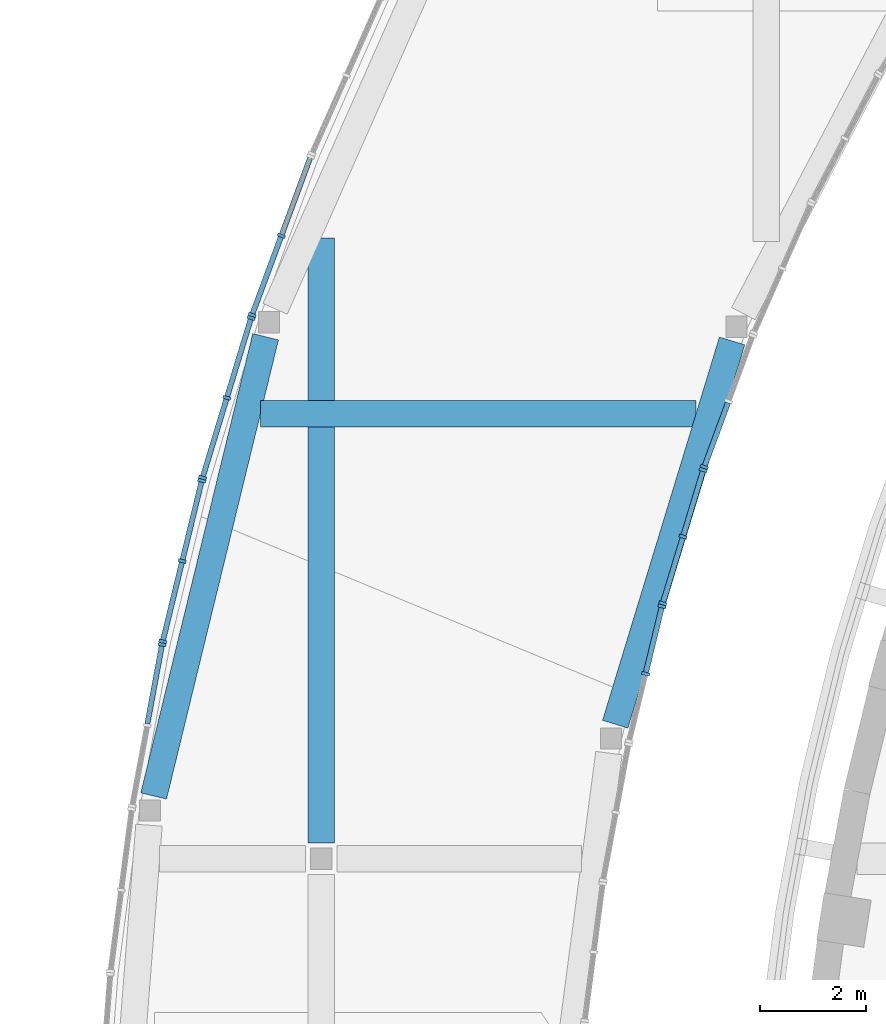
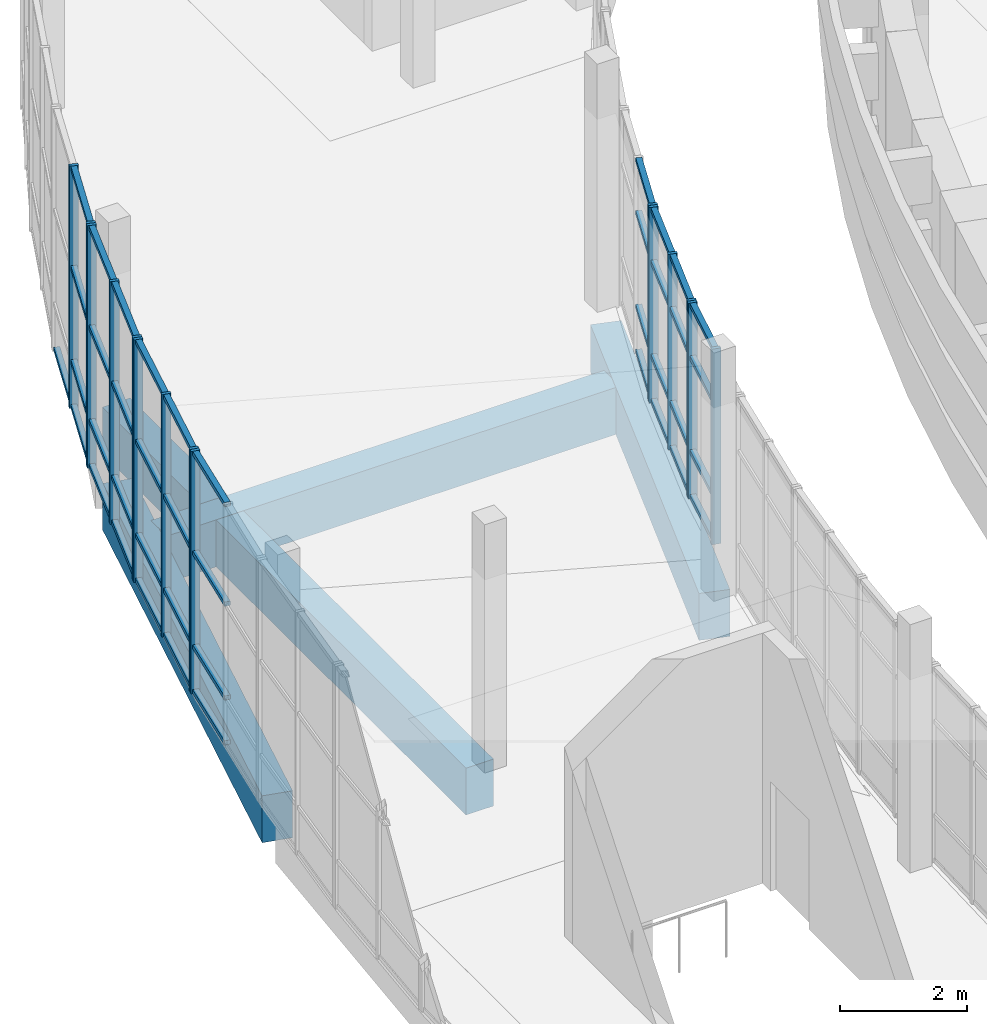
# One storey, part 16 of 103: 56 members, 4 beams, 7 elements without a shape of their own.
"""IFC4 building model written with IfcOpenShell, lengths in metres."""

from ifc_helpers import new_model, si_unit, direction, frame, origin, origin_2d, place, context, subcontext, project, spatial, rectangle, extrude, material, layer, layer_set, material_profile, profile_set, type_object, element, aggregate, save


model = new_model("IFC4")

# Units and contexts
model_context = context("Model", 3, precision=1e-05, world=origin(), true_north=direction((0.0, 1.0)))
body_context = subcontext(model_context, "Body", "Model", "MODEL_VIEW")
ifc_project = project(units=[si_unit("LENGTHUNIT", "METRE"), si_unit("AREAUNIT", "SQUARE_METRE"), si_unit("VOLUMEUNIT", "CUBIC_METRE"), si_unit("PLANEANGLEUNIT", "RADIAN"), si_unit("MASSUNIT", "GRAM", prefix="KILO")], contexts=[model_context])

# Site, building, storey
site_placement = place(None, origin())
site = spatial("IfcSite", under=ifc_project, at=site_placement, CompositionType="ELEMENT")
building_placement = place(site_placement, origin())
building = spatial("IfcBuilding", under=site, at=building_placement, Name="Larchfold Concert Hall", CompositionType="ELEMENT")
storey_placement = place(building_placement, frame((0.0, 0.0, 9.60009765625)))
storey = spatial("IfcBuildingStorey", under=building, at=storey_placement, Name="L02", CompositionType="ELEMENT", Elevation=9.60009765625)

# Curtain wall, members
ifc_material_1 = material(Name="Anodised graphite aluminium curtain wall", Category="aluminium")
ifc_layer = layer(ifc_material_1, 0.14990234375)
ifc_layer_set = layer_set([ifc_layer], Name="Anodised graphite aluminium curtain wall")
curtain_wall_type = type_object("IfcCurtainWallType", Name="Curtain wall WG", PredefinedType="NOTDEFINED", material=ifc_layer_set)
curtain_wall_1_placement = place(storey_placement, origin())
curtain_wall_1 = element("IfcCurtainWall", 1, at=curtain_wall_1_placement, inside=storey, type_object=curtain_wall_type, Name="Curtain wall CW0228", PredefinedType="NOTDEFINED")
ifc_material_2 = material(Name="Anodised graphite aluminium mullion", Category="aluminium")
ifc_material_profile_1 = material_profile(ifc_material_2, rectangle(XDim=0.14990234375, YDim=0.06005859375, at=origin_2d()))
ifc_profile_set_1 = profile_set([ifc_material_profile_1], Name="Anodised graphite aluminium mullion")
member_type_1 = type_object("IfcMemberType", Name="Aluminium mullion 60x150", PredefinedType="MULLION", material=ifc_profile_set_1)
member_1_placement = place(storey_placement, frame((15.123046875, 96.48876953125, 0.0), z_axis=(0.0, 0.0, 1.0), x_axis=(-0.97177101692, 0.235926027973, 0.0)))
member_1 = element("IfcMember", 2, at=member_1_placement, type_object=member_type_1, Name="CW0228 mullion 2", PredefinedType="MULLION", context=body_context, shape_type="SweptSolid", body=[
    extrude(rectangle(XDim=0.14990234375, YDim=0.06005859375, at=origin_2d()), origin(), (0.0, 0.0, 1.0), 3.75),
])
member_2_placement = place(storey_placement, frame((15.431884765625, 97.761474609375, 0.0), z_axis=(0.0, 0.0, 1.0), x_axis=(-0.97177101692, 0.235926027973, 0.0)))
member_2 = element("IfcMember", 3, at=member_2_placement, type_object=member_type_1, Name="CW0228 mullion 3", PredefinedType="MULLION", context=body_context, shape_type="SweptSolid", body=[
    extrude(rectangle(XDim=0.14990234375, YDim=0.06005859375, at=origin_2d()), origin(), (0.0, 0.0, 1.0), 3.75),
])

curtain_wall_2_placement = place(storey_placement, origin())
curtain_wall_2 = element("IfcCurtainWall", 4, at=curtain_wall_2_placement, inside=storey, type_object=curtain_wall_type, Name="Curtain wall CW0229", PredefinedType="NOTDEFINED")
member_3_placement = place(storey_placement, frame((15.44775390625, 97.8193359375, 0.0), z_axis=(0.0, 0.0, 1.0), x_axis=(-0.956856236078, 0.290561772224, 0.0)))
member_3 = element("IfcMember", 5, at=member_3_placement, type_object=member_type_1, Name="CW0229 mullion 1", PredefinedType="MULLION", context=body_context, shape_type="SweptSolid", body=[
    extrude(rectangle(XDim=0.14990234375, YDim=0.06005859375, at=origin_2d()), origin(), (0.0, 0.0, 1.0), 3.75),
])
member_4_placement = place(storey_placement, frame((15.82958984375, 99.076904296875, 0.0), z_axis=(0.0, 0.0, 1.0), x_axis=(-0.956856236078, 0.290561772224, 0.0)))
member_4 = element("IfcMember", 6, at=member_4_placement, type_object=member_type_1, Name="CW0229 mullion 2", PredefinedType="MULLION", context=body_context, shape_type="SweptSolid", body=[
    extrude(rectangle(XDim=0.14990234375, YDim=0.06005859375, at=origin_2d()), origin(), (0.0, 0.0, 1.0), 3.75),
])
member_5_placement = place(storey_placement, frame((16.21142578125, 100.33447265625, 0.0), z_axis=(0.0, 0.0, 1.0), x_axis=(-0.956856236078, 0.290561772224, 0.0)))
member_5 = element("IfcMember", 7, at=member_5_placement, type_object=member_type_1, Name="CW0229 mullion 3", PredefinedType="MULLION", context=body_context, shape_type="SweptSolid", body=[
    extrude(rectangle(XDim=0.14990234375, YDim=0.06005859375, at=origin_2d()), origin(), (0.0, 0.0, 1.0), 3.75),
])

# Curtain wall, member
curtain_wall_3_placement = place(storey_placement, origin())
curtain_wall_3 = element("IfcCurtainWall", 8, at=curtain_wall_3_placement, inside=storey, type_object=curtain_wall_type, Name="Curtain wall CW0230", PredefinedType="NOTDEFINED")
member_6_placement = place(storey_placement, frame((16.230712890625, 100.391357421875, 0.0), z_axis=(0.0, 0.0, 1.0), x_axis=(-0.938001528432, 0.346631119, 0.0)))
member_6 = element("IfcMember", 9, at=member_6_placement, type_object=member_type_1, Name="CW0230 mullion 1", PredefinedType="MULLION", context=body_context, shape_type="SweptSolid", body=[
    extrude(rectangle(XDim=0.14990234375, YDim=0.06005859375, at=origin_2d()), origin(), (0.0, 0.0, 1.0), 3.75),
])

# Curtain wall, members
curtain_wall_4_placement = place(storey_placement, origin())
curtain_wall_4 = element("IfcCurtainWall", 10, at=curtain_wall_4_placement, inside=storey, type_object=curtain_wall_type, Name="Curtain wall CW0267", PredefinedType="NOTDEFINED")
member_7_placement = place(storey_placement, frame((8.248291015625, 104.755126953125, 0.0), z_axis=(0.0, 0.0, 1.0), x_axis=(0.938015232319, -0.346594033327, 0.0)))
member_7 = element("IfcMember", 11, at=member_7_placement, type_object=member_type_1, Name="CW0267 mullion 2", PredefinedType="MULLION", context=body_context, shape_type="SweptSolid", body=[
    extrude(rectangle(XDim=0.14990234375, YDim=0.06005859375, at=origin_2d()), origin(), (0.0, 0.0, 1.0), 4.64990234375),
])
member_8_placement = place(storey_placement, frame((7.6962890625, 103.260986328125, 0.0), z_axis=(0.0, 0.0, 1.0), x_axis=(0.938015232319, -0.346594033327, 0.0)))
member_8 = element("IfcMember", 12, at=member_8_placement, type_object=member_type_1, Name="CW0267 mullion 3", PredefinedType="MULLION", context=body_context, shape_type="SweptSolid", body=[
    extrude(rectangle(XDim=0.14990234375, YDim=0.06005859375, at=origin_2d()), origin(), (0.0, 0.0, 1.0), 4.64990234375),
])

curtain_wall_5_placement = place(storey_placement, origin())
curtain_wall_5 = element("IfcCurtainWall", 13, at=curtain_wall_5_placement, inside=storey, type_object=curtain_wall_type, Name="Curtain wall CW0268", PredefinedType="NOTDEFINED")
member_9_placement = place(storey_placement, frame((7.677001953125, 103.2041015625, 0.0), z_axis=(0.0, 0.0, 1.0), x_axis=(0.956851499638, -0.290577369456, 0.0)))
member_9 = element("IfcMember", 14, at=member_9_placement, type_object=member_type_1, Name="CW0268 mullion 1", PredefinedType="MULLION", context=body_context, shape_type="SweptSolid", body=[
    extrude(rectangle(XDim=0.14990234375, YDim=0.06005859375, at=origin_2d()), origin(), (0.0, 0.0, 1.0), 4.64990234375),
])
member_10_placement = place(storey_placement, frame((7.219482421875, 101.697265625, 0.0), z_axis=(0.0, 0.0, 1.0), x_axis=(0.956851499638, -0.290577369456, 0.0)))
member_10 = element("IfcMember", 15, at=member_10_placement, type_object=member_type_1, Name="CW0268 mullion 2", PredefinedType="MULLION", context=body_context, shape_type="SweptSolid", body=[
    extrude(rectangle(XDim=0.14990234375, YDim=0.06005859375, at=origin_2d()), origin(), (0.0, 0.0, 1.0), 4.64990234375),
])
member_11_placement = place(storey_placement, frame((6.761962890625, 100.190673828125, 0.0), z_axis=(0.0, 0.0, 1.0), x_axis=(0.956851499638, -0.290577369456, 0.0)))
member_11 = element("IfcMember", 16, at=member_11_placement, type_object=member_type_1, Name="CW0268 mullion 3", PredefinedType="MULLION", context=body_context, shape_type="SweptSolid", body=[
    extrude(rectangle(XDim=0.14990234375, YDim=0.06005859375, at=origin_2d()), origin(), (0.0, 0.0, 1.0), 4.64990234375),
])

curtain_wall_6_placement = place(storey_placement, origin())
curtain_wall_6 = element("IfcCurtainWall", 17, at=curtain_wall_6_placement, inside=storey, type_object=curtain_wall_type, Name="Curtain wall CW0269", PredefinedType="NOTDEFINED")
member_12_placement = place(storey_placement, frame((6.74609375, 100.1328125, 0.0), z_axis=(0.0, 0.0, 1.0), x_axis=(0.97176803509, -0.235938309687, 0.0)))
member_12 = element("IfcMember", 18, at=member_12_placement, type_object=member_type_1, Name="CW0269 mullion 1", PredefinedType="MULLION", context=body_context, shape_type="SweptSolid", body=[
    extrude(rectangle(XDim=0.14990234375, YDim=0.06005859375, at=origin_2d()), origin(), (0.0, 0.0, 1.0), 4.64990234375),
])
member_13_placement = place(storey_placement, frame((6.3779296875, 98.616455078125, 0.0), z_axis=(0.0, 0.0, 1.0), x_axis=(0.97176803509, -0.235938309687, 0.0)))
member_13 = element("IfcMember", 19, at=member_13_placement, type_object=member_type_1, Name="CW0269 mullion 2", PredefinedType="MULLION", context=body_context, shape_type="SweptSolid", body=[
    extrude(rectangle(XDim=0.14990234375, YDim=0.06005859375, at=origin_2d()), origin(), (0.0, 0.0, 1.0), 4.64990234375),
])
member_14_placement = place(storey_placement, frame((6.009765625, 97.099853515625, 0.0), z_axis=(0.0, 0.0, 1.0), x_axis=(0.97176803509, -0.235938309687, 0.0)))
member_14 = element("IfcMember", 20, at=member_14_placement, type_object=member_type_1, Name="CW0269 mullion 3", PredefinedType="MULLION", context=body_context, shape_type="SweptSolid", body=[
    extrude(rectangle(XDim=0.14990234375, YDim=0.06005859375, at=origin_2d()), origin(), (0.0, 0.0, 1.0), 4.64990234375),
])

# Curtain wall, member
curtain_wall_7_placement = place(storey_placement, origin())
curtain_wall_7 = element("IfcCurtainWall", 21, at=curtain_wall_7_placement, inside=storey, type_object=curtain_wall_type, Name="Curtain wall CW0270", PredefinedType="NOTDEFINED")
member_15_placement = place(storey_placement, frame((5.997314453125, 97.041259765625, 0.0), z_axis=(0.0, 0.0, 1.0), x_axis=(0.983234300554, -0.182346675908, 0.0)))
member_15 = element("IfcMember", 22, at=member_15_placement, type_object=member_type_1, Name="CW0270 mullion 1", PredefinedType="MULLION", context=body_context, shape_type="SweptSolid", body=[
    extrude(rectangle(XDim=0.14990234375, YDim=0.06005859375, at=origin_2d()), origin(), (0.0, 0.0, 1.0), 4.64990234375),
])

# Member
ifc_material_3 = material(Name="Anodised graphite aluminium transom", Category="aluminium")
ifc_material_profile_2 = material_profile(ifc_material_3, rectangle(XDim=0.10009765625, YDim=0.080078125, at=origin_2d()))
ifc_profile_set_2 = profile_set([ifc_material_profile_2], Name="Anodised graphite aluminium transom")
member_type_2 = type_object("IfcMemberType", Name="Aluminium transom 80x100", PredefinedType="USERDEFINED", material=ifc_profile_set_2)
member_16_placement = place(storey_placement, frame((15.1298828125, 96.517822265625, 0.0400390625), z_axis=(0.236002599112, 0.971752423826, 0.0), x_axis=(-0.971752423826, 0.236002599112, 0.0)))
member_16 = element("IfcMember", 23, at=member_16_placement, type_object=member_type_2, Name="CW0228 transom 2.1", ObjectType="TRANSOM", PredefinedType="USERDEFINED", context=body_context, shape_type="SweptSolid", body=[
    extrude(rectangle(XDim=0.10009765625, YDim=0.080078125, at=origin_2d()), origin(), (0.0, 0.0, 1.0), 1.249755859375),
])

member_17_placement = place(storey_placement, frame((15.1298828125, 96.517822265625, 0.89990234375), z_axis=(0.236002599112, 0.971752423826, 0.0), x_axis=(-0.971752423826, 0.236002599112, 0.0)))
member_17 = element("IfcMember", 24, at=member_17_placement, type_object=member_type_2, Name="CW0228 transom 2.2", ObjectType="TRANSOM", PredefinedType="USERDEFINED", context=body_context, shape_type="SweptSolid", body=[
    extrude(rectangle(XDim=0.10009765625, YDim=0.080078125, at=origin_2d()), origin(), (0.0, 0.0, 1.0), 1.249755859375),
])

member_18_placement = place(storey_placement, frame((15.1298828125, 96.517822265625, 2.699951171875), z_axis=(0.236002599112, 0.971752423826, 0.0), x_axis=(-0.971752423826, 0.236002599112, 0.0)))
member_18 = element("IfcMember", 25, at=member_18_placement, type_object=member_type_2, Name="CW0228 transom 2.3", ObjectType="TRANSOM", PredefinedType="USERDEFINED", context=body_context, shape_type="SweptSolid", body=[
    extrude(rectangle(XDim=0.10009765625, YDim=0.080078125, at=origin_2d()), origin(), (0.0, 0.0, 1.0), 1.249755859375),
])

member_19_placement = place(storey_placement, frame((15.1298828125, 96.517822265625, 3.7099609375), z_axis=(0.236002599112, 0.971752423826, 0.0), x_axis=(-0.971752423826, 0.236002599112, 0.0)))
member_19 = element("IfcMember", 26, at=member_19_placement, type_object=member_type_2, Name="CW0228 transom 2.4", ObjectType="TRANSOM", PredefinedType="USERDEFINED", context=body_context, shape_type="SweptSolid", body=[
    extrude(rectangle(XDim=0.10009765625, YDim=0.080078125, at=origin_2d()), origin(), (0.0, 0.0, 1.0), 1.249755859375),
])

aggregate(curtain_wall_1, [member_1, member_2, member_16, member_17, member_18, member_19])

member_20_placement = place(storey_placement, frame((15.456298828125, 97.847900390625, 0.0400390625), z_axis=(0.29059616867, 0.956845790477, 0.0), x_axis=(-0.956845790477, 0.29059616867, 0.0)))
member_20 = element("IfcMember", 27, at=member_20_placement, type_object=member_type_2, Name="CW0229 transom 1.1", ObjectType="TRANSOM", PredefinedType="USERDEFINED", context=body_context, shape_type="SweptSolid", body=[
    extrude(rectangle(XDim=0.10009765625, YDim=0.080078125, at=origin_2d()), origin(), (0.0, 0.0, 1.0), 1.25439453125),
])

member_21_placement = place(storey_placement, frame((15.456298828125, 97.847900390625, 0.89990234375), z_axis=(0.29059616867, 0.956845790477, 0.0), x_axis=(-0.956845790477, 0.29059616867, 0.0)))
member_21 = element("IfcMember", 28, at=member_21_placement, type_object=member_type_2, Name="CW0229 transom 1.2", ObjectType="TRANSOM", PredefinedType="USERDEFINED", context=body_context, shape_type="SweptSolid", body=[
    extrude(rectangle(XDim=0.10009765625, YDim=0.080078125, at=origin_2d()), origin(), (0.0, 0.0, 1.0), 1.25439453125),
])

member_22_placement = place(storey_placement, frame((15.456298828125, 97.847900390625, 2.699951171875), z_axis=(0.29059616867, 0.956845790477, 0.0), x_axis=(-0.956845790477, 0.29059616867, 0.0)))
member_22 = element("IfcMember", 29, at=member_22_placement, type_object=member_type_2, Name="CW0229 transom 1.3", ObjectType="TRANSOM", PredefinedType="USERDEFINED", context=body_context, shape_type="SweptSolid", body=[
    extrude(rectangle(XDim=0.10009765625, YDim=0.080078125, at=origin_2d()), origin(), (0.0, 0.0, 1.0), 1.25439453125),
])

member_23_placement = place(storey_placement, frame((15.456298828125, 97.847900390625, 3.7099609375), z_axis=(0.29059616867, 0.956845790477, 0.0), x_axis=(-0.956845790477, 0.29059616867, 0.0)))
member_23 = element("IfcMember", 30, at=member_23_placement, type_object=member_type_2, Name="CW0229 transom 1.4", ObjectType="TRANSOM", PredefinedType="USERDEFINED", context=body_context, shape_type="SweptSolid", body=[
    extrude(rectangle(XDim=0.10009765625, YDim=0.080078125, at=origin_2d()), origin(), (0.0, 0.0, 1.0), 1.25439453125),
])

member_24_placement = place(storey_placement, frame((15.83837890625, 99.105712890625, 0.0400390625), z_axis=(0.29059616867, 0.956845790477, 0.0), x_axis=(-0.956845790477, 0.29059616867, 0.0)))
member_24 = element("IfcMember", 31, at=member_24_placement, type_object=member_type_2, Name="CW0229 transom 2.1", ObjectType="TRANSOM", PredefinedType="USERDEFINED", context=body_context, shape_type="SweptSolid", body=[
    extrude(rectangle(XDim=0.10009765625, YDim=0.080078125, at=origin_2d()), origin(), (0.0, 0.0, 1.0), 1.25439453125),
])

member_25_placement = place(storey_placement, frame((15.83837890625, 99.105712890625, 0.89990234375), z_axis=(0.29059616867, 0.956845790477, 0.0), x_axis=(-0.956845790477, 0.29059616867, 0.0)))
member_25 = element("IfcMember", 32, at=member_25_placement, type_object=member_type_2, Name="CW0229 transom 2.2", ObjectType="TRANSOM", PredefinedType="USERDEFINED", context=body_context, shape_type="SweptSolid", body=[
    extrude(rectangle(XDim=0.10009765625, YDim=0.080078125, at=origin_2d()), origin(), (0.0, 0.0, 1.0), 1.25439453125),
])

member_26_placement = place(storey_placement, frame((15.83837890625, 99.105712890625, 2.699951171875), z_axis=(0.29059616867, 0.956845790477, 0.0), x_axis=(-0.956845790477, 0.29059616867, 0.0)))
member_26 = element("IfcMember", 33, at=member_26_placement, type_object=member_type_2, Name="CW0229 transom 2.3", ObjectType="TRANSOM", PredefinedType="USERDEFINED", context=body_context, shape_type="SweptSolid", body=[
    extrude(rectangle(XDim=0.10009765625, YDim=0.080078125, at=origin_2d()), origin(), (0.0, 0.0, 1.0), 1.25439453125),
])

member_27_placement = place(storey_placement, frame((15.83837890625, 99.105712890625, 3.7099609375), z_axis=(0.29059616867, 0.956845790477, 0.0), x_axis=(-0.956845790477, 0.29059616867, 0.0)))
member_27 = element("IfcMember", 34, at=member_27_placement, type_object=member_type_2, Name="CW0229 transom 2.4", ObjectType="TRANSOM", PredefinedType="USERDEFINED", context=body_context, shape_type="SweptSolid", body=[
    extrude(rectangle(XDim=0.10009765625, YDim=0.080078125, at=origin_2d()), origin(), (0.0, 0.0, 1.0), 1.25439453125),
])

aggregate(curtain_wall_2, [member_3, member_4, member_5, member_20, member_21, member_22, member_23, member_24, member_25, member_26, member_27])

member_28_placement = place(storey_placement, frame((16.240966796875, 100.419677734375, 0.0400390625), z_axis=(0.346639022733, 0.937998607631, 0.0), x_axis=(-0.937998607631, 0.346639022733, 0.0)))
member_28 = element("IfcMember", 35, at=member_28_placement, type_object=member_type_2, Name="CW0230 transom 1.1", ObjectType="TRANSOM", PredefinedType="USERDEFINED", context=body_context, shape_type="SweptSolid", body=[
    extrude(rectangle(XDim=0.10009765625, YDim=0.080078125, at=origin_2d()), origin(), (0.0, 0.0, 1.0), 1.260009765625),
])

member_29_placement = place(storey_placement, frame((16.240966796875, 100.419677734375, 0.89990234375), z_axis=(0.346639022733, 0.937998607631, 0.0), x_axis=(-0.937998607631, 0.346639022733, 0.0)))
member_29 = element("IfcMember", 36, at=member_29_placement, type_object=member_type_2, Name="CW0230 transom 1.2", ObjectType="TRANSOM", PredefinedType="USERDEFINED", context=body_context, shape_type="SweptSolid", body=[
    extrude(rectangle(XDim=0.10009765625, YDim=0.080078125, at=origin_2d()), origin(), (0.0, 0.0, 1.0), 1.260009765625),
])

member_30_placement = place(storey_placement, frame((16.240966796875, 100.419677734375, 2.699951171875), z_axis=(0.346639022733, 0.937998607631, 0.0), x_axis=(-0.937998607631, 0.346639022733, 0.0)))
member_30 = element("IfcMember", 37, at=member_30_placement, type_object=member_type_2, Name="CW0230 transom 1.3", ObjectType="TRANSOM", PredefinedType="USERDEFINED", context=body_context, shape_type="SweptSolid", body=[
    extrude(rectangle(XDim=0.10009765625, YDim=0.080078125, at=origin_2d()), origin(), (0.0, 0.0, 1.0), 1.260009765625),
])

member_31_placement = place(storey_placement, frame((16.240966796875, 100.419677734375, 3.7099609375), z_axis=(0.346639022733, 0.937998607631, 0.0), x_axis=(-0.937998607631, 0.346639022733, 0.0)))
member_31 = element("IfcMember", 38, at=member_31_placement, type_object=member_type_2, Name="CW0230 transom 1.4", ObjectType="TRANSOM", PredefinedType="USERDEFINED", context=body_context, shape_type="SweptSolid", body=[
    extrude(rectangle(XDim=0.10009765625, YDim=0.080078125, at=origin_2d()), origin(), (0.0, 0.0, 1.0), 1.260009765625),
])

aggregate(curtain_wall_3, [member_6, member_28, member_29, member_30, member_31])

member_32_placement = place(storey_placement, frame((8.7900390625, 106.22119140625, 0.0400390625), z_axis=(-0.34659834875, -0.938013637771, 0.0), x_axis=(0.938013637771, -0.34659834875, 0.0)))
member_32 = element("IfcMember", 39, at=member_32_placement, type_object=member_type_2, Name="CW0267 transom 1.1", ObjectType="TRANSOM", PredefinedType="USERDEFINED", context=body_context, shape_type="SweptSolid", body=[
    extrude(rectangle(XDim=0.10009765625, YDim=0.080078125, at=origin_2d()), origin(), (0.0, 0.0, 1.0), 1.53271484375),
])

member_33_placement = place(storey_placement, frame((8.23779296875, 104.72705078125, 0.0400390625), z_axis=(-0.34659834875, -0.938013637771, 0.0), x_axis=(0.938013637771, -0.34659834875, 0.0)))
member_33 = element("IfcMember", 40, at=member_33_placement, type_object=member_type_2, Name="CW0267 transom 2.1", ObjectType="TRANSOM", PredefinedType="USERDEFINED", context=body_context, shape_type="SweptSolid", body=[
    extrude(rectangle(XDim=0.10009765625, YDim=0.080078125, at=origin_2d()), origin(), (0.0, 0.0, 1.0), 1.53271484375),
])

member_34_placement = place(storey_placement, frame((8.23779296875, 104.72705078125, 0.89990234375), z_axis=(-0.34659834875, -0.938013637771, 0.0), x_axis=(0.938013637771, -0.34659834875, 0.0)))
member_34 = element("IfcMember", 41, at=member_34_placement, type_object=member_type_2, Name="CW0267 transom 2.2", ObjectType="TRANSOM", PredefinedType="USERDEFINED", context=body_context, shape_type="SweptSolid", body=[
    extrude(rectangle(XDim=0.10009765625, YDim=0.080078125, at=origin_2d()), origin(), (0.0, 0.0, 1.0), 1.53271484375),
])

member_35_placement = place(storey_placement, frame((8.23779296875, 104.72705078125, 2.699951171875), z_axis=(-0.34659834875, -0.938013637771, 0.0), x_axis=(0.938013637771, -0.34659834875, 0.0)))
member_35 = element("IfcMember", 42, at=member_35_placement, type_object=member_type_2, Name="CW0267 transom 2.3", ObjectType="TRANSOM", PredefinedType="USERDEFINED", context=body_context, shape_type="SweptSolid", body=[
    extrude(rectangle(XDim=0.10009765625, YDim=0.080078125, at=origin_2d()), origin(), (0.0, 0.0, 1.0), 1.53271484375),
])

member_36_placement = place(storey_placement, frame((8.23779296875, 104.72705078125, 4.60986328125), z_axis=(-0.34659834875, -0.938013637771, 0.0), x_axis=(0.938013637771, -0.34659834875, 0.0)))
member_36 = element("IfcMember", 43, at=member_36_placement, type_object=member_type_2, Name="CW0267 transom 2.4", ObjectType="TRANSOM", PredefinedType="USERDEFINED", context=body_context, shape_type="SweptSolid", body=[
    extrude(rectangle(XDim=0.10009765625, YDim=0.080078125, at=origin_2d()), origin(), (0.0, 0.0, 1.0), 1.53271484375),
])

aggregate(curtain_wall_4, [member_7, member_8, member_32, member_33, member_34, member_35, member_36])

member_37_placement = place(storey_placement, frame((7.66845703125, 103.175537109375, 0.0400390625), z_axis=(-0.290584372476, -0.956849372928, 0.0), x_axis=(0.956849372928, -0.290584372476, 0.0)))
member_37 = element("IfcMember", 44, at=member_37_placement, type_object=member_type_2, Name="CW0268 transom 1.1", ObjectType="TRANSOM", PredefinedType="USERDEFINED", context=body_context, shape_type="SweptSolid", body=[
    extrude(rectangle(XDim=0.10009765625, YDim=0.080078125, at=origin_2d()), origin(), (0.0, 0.0, 1.0), 1.514892578125),
])

member_38_placement = place(storey_placement, frame((7.66845703125, 103.175537109375, 0.89990234375), z_axis=(-0.290584372476, -0.956849372928, 0.0), x_axis=(0.956849372928, -0.290584372476, 0.0)))
member_38 = element("IfcMember", 45, at=member_38_placement, type_object=member_type_2, Name="CW0268 transom 1.2", ObjectType="TRANSOM", PredefinedType="USERDEFINED", context=body_context, shape_type="SweptSolid", body=[
    extrude(rectangle(XDim=0.10009765625, YDim=0.080078125, at=origin_2d()), origin(), (0.0, 0.0, 1.0), 1.514892578125),
])

member_39_placement = place(storey_placement, frame((7.66845703125, 103.175537109375, 2.699951171875), z_axis=(-0.290584372476, -0.956849372928, 0.0), x_axis=(0.956849372928, -0.290584372476, 0.0)))
member_39 = element("IfcMember", 46, at=member_39_placement, type_object=member_type_2, Name="CW0268 transom 1.3", ObjectType="TRANSOM", PredefinedType="USERDEFINED", context=body_context, shape_type="SweptSolid", body=[
    extrude(rectangle(XDim=0.10009765625, YDim=0.080078125, at=origin_2d()), origin(), (0.0, 0.0, 1.0), 1.514892578125),
])

member_40_placement = place(storey_placement, frame((7.66845703125, 103.175537109375, 4.60986328125), z_axis=(-0.290584372476, -0.956849372928, 0.0), x_axis=(0.956849372928, -0.290584372476, 0.0)))
member_40 = element("IfcMember", 47, at=member_40_placement, type_object=member_type_2, Name="CW0268 transom 1.4", ObjectType="TRANSOM", PredefinedType="USERDEFINED", context=body_context, shape_type="SweptSolid", body=[
    extrude(rectangle(XDim=0.10009765625, YDim=0.080078125, at=origin_2d()), origin(), (0.0, 0.0, 1.0), 1.514892578125),
])

member_41_placement = place(storey_placement, frame((7.210693359375, 101.668701171875, 0.0400390625), z_axis=(-0.290584372476, -0.956849372928, 0.0), x_axis=(0.956849372928, -0.290584372476, 0.0)))
member_41 = element("IfcMember", 48, at=member_41_placement, type_object=member_type_2, Name="CW0268 transom 2.1", ObjectType="TRANSOM", PredefinedType="USERDEFINED", context=body_context, shape_type="SweptSolid", body=[
    extrude(rectangle(XDim=0.10009765625, YDim=0.080078125, at=origin_2d()), origin(), (0.0, 0.0, 1.0), 1.514892578125),
])

member_42_placement = place(storey_placement, frame((7.210693359375, 101.668701171875, 0.89990234375), z_axis=(-0.290584372476, -0.956849372928, 0.0), x_axis=(0.956849372928, -0.290584372476, 0.0)))
member_42 = element("IfcMember", 49, at=member_42_placement, type_object=member_type_2, Name="CW0268 transom 2.2", ObjectType="TRANSOM", PredefinedType="USERDEFINED", context=body_context, shape_type="SweptSolid", body=[
    extrude(rectangle(XDim=0.10009765625, YDim=0.080078125, at=origin_2d()), origin(), (0.0, 0.0, 1.0), 1.514892578125),
])

member_43_placement = place(storey_placement, frame((7.210693359375, 101.668701171875, 2.699951171875), z_axis=(-0.290584372476, -0.956849372928, 0.0), x_axis=(0.956849372928, -0.290584372476, 0.0)))
member_43 = element("IfcMember", 50, at=member_43_placement, type_object=member_type_2, Name="CW0268 transom 2.3", ObjectType="TRANSOM", PredefinedType="USERDEFINED", context=body_context, shape_type="SweptSolid", body=[
    extrude(rectangle(XDim=0.10009765625, YDim=0.080078125, at=origin_2d()), origin(), (0.0, 0.0, 1.0), 1.514892578125),
])

member_44_placement = place(storey_placement, frame((7.210693359375, 101.668701171875, 4.60986328125), z_axis=(-0.290584372476, -0.956849372928, 0.0), x_axis=(0.956849372928, -0.290584372476, 0.0)))
member_44 = element("IfcMember", 51, at=member_44_placement, type_object=member_type_2, Name="CW0268 transom 2.4", ObjectType="TRANSOM", PredefinedType="USERDEFINED", context=body_context, shape_type="SweptSolid", body=[
    extrude(rectangle(XDim=0.10009765625, YDim=0.080078125, at=origin_2d()), origin(), (0.0, 0.0, 1.0), 1.514892578125),
])

aggregate(curtain_wall_5, [member_9, member_10, member_11, member_37, member_38, member_39, member_40, member_41, member_42, member_43, member_44])

member_45_placement = place(storey_placement, frame((6.739013671875, 100.103515625, 0.0400390625), z_axis=(-0.235944645089, -0.971766496878, 0.0), x_axis=(0.971766496878, -0.235944645089, 0.0)))
member_45 = element("IfcMember", 52, at=member_45_placement, type_object=member_type_2, Name="CW0269 transom 1.1", ObjectType="TRANSOM", PredefinedType="USERDEFINED", context=body_context, shape_type="SweptSolid", body=[
    extrude(rectangle(XDim=0.10009765625, YDim=0.080078125, at=origin_2d()), origin(), (0.0, 0.0, 1.0), 1.50048828125),
])

member_46_placement = place(storey_placement, frame((6.739013671875, 100.103515625, 0.89990234375), z_axis=(-0.235944645089, -0.971766496878, 0.0), x_axis=(0.971766496878, -0.235944645089, 0.0)))
member_46 = element("IfcMember", 53, at=member_46_placement, type_object=member_type_2, Name="CW0269 transom 1.2", ObjectType="TRANSOM", PredefinedType="USERDEFINED", context=body_context, shape_type="SweptSolid", body=[
    extrude(rectangle(XDim=0.10009765625, YDim=0.080078125, at=origin_2d()), origin(), (0.0, 0.0, 1.0), 1.50048828125),
])

member_47_placement = place(storey_placement, frame((6.739013671875, 100.103515625, 2.699951171875), z_axis=(-0.235944645089, -0.971766496878, 0.0), x_axis=(0.971766496878, -0.235944645089, 0.0)))
member_47 = element("IfcMember", 54, at=member_47_placement, type_object=member_type_2, Name="CW0269 transom 1.3", ObjectType="TRANSOM", PredefinedType="USERDEFINED", context=body_context, shape_type="SweptSolid", body=[
    extrude(rectangle(XDim=0.10009765625, YDim=0.080078125, at=origin_2d()), origin(), (0.0, 0.0, 1.0), 1.50048828125),
])

member_48_placement = place(storey_placement, frame((6.739013671875, 100.103515625, 4.60986328125), z_axis=(-0.235944645089, -0.971766496878, 0.0), x_axis=(0.971766496878, -0.235944645089, 0.0)))
member_48 = element("IfcMember", 55, at=member_48_placement, type_object=member_type_2, Name="CW0269 transom 1.4", ObjectType="TRANSOM", PredefinedType="USERDEFINED", context=body_context, shape_type="SweptSolid", body=[
    extrude(rectangle(XDim=0.10009765625, YDim=0.080078125, at=origin_2d()), origin(), (0.0, 0.0, 1.0), 1.50048828125),
])

member_49_placement = place(storey_placement, frame((6.370849609375, 98.587158203125, 0.0400390625), z_axis=(-0.235944645089, -0.971766496878, 0.0), x_axis=(0.971766496878, -0.235944645089, 0.0)))
member_49 = element("IfcMember", 56, at=member_49_placement, type_object=member_type_2, Name="CW0269 transom 2.1", ObjectType="TRANSOM", PredefinedType="USERDEFINED", context=body_context, shape_type="SweptSolid", body=[
    extrude(rectangle(XDim=0.10009765625, YDim=0.080078125, at=origin_2d()), origin(), (0.0, 0.0, 1.0), 1.50048828125),
])

member_50_placement = place(storey_placement, frame((6.370849609375, 98.587158203125, 0.89990234375), z_axis=(-0.235944645089, -0.971766496878, 0.0), x_axis=(0.971766496878, -0.235944645089, 0.0)))
member_50 = element("IfcMember", 57, at=member_50_placement, type_object=member_type_2, Name="CW0269 transom 2.2", ObjectType="TRANSOM", PredefinedType="USERDEFINED", context=body_context, shape_type="SweptSolid", body=[
    extrude(rectangle(XDim=0.10009765625, YDim=0.080078125, at=origin_2d()), origin(), (0.0, 0.0, 1.0), 1.50048828125),
])

member_51_placement = place(storey_placement, frame((6.370849609375, 98.587158203125, 2.699951171875), z_axis=(-0.235944645089, -0.971766496878, 0.0), x_axis=(0.971766496878, -0.235944645089, 0.0)))
member_51 = element("IfcMember", 58, at=member_51_placement, type_object=member_type_2, Name="CW0269 transom 2.3", ObjectType="TRANSOM", PredefinedType="USERDEFINED", context=body_context, shape_type="SweptSolid", body=[
    extrude(rectangle(XDim=0.10009765625, YDim=0.080078125, at=origin_2d()), origin(), (0.0, 0.0, 1.0), 1.50048828125),
])

member_52_placement = place(storey_placement, frame((6.370849609375, 98.587158203125, 4.60986328125), z_axis=(-0.235944645089, -0.971766496878, 0.0), x_axis=(0.971766496878, -0.235944645089, 0.0)))
member_52 = element("IfcMember", 59, at=member_52_placement, type_object=member_type_2, Name="CW0269 transom 2.4", ObjectType="TRANSOM", PredefinedType="USERDEFINED", context=body_context, shape_type="SweptSolid", body=[
    extrude(rectangle(XDim=0.10009765625, YDim=0.080078125, at=origin_2d()), origin(), (0.0, 0.0, 1.0), 1.50048828125),
])

aggregate(curtain_wall_6, [member_12, member_13, member_14, member_45, member_46, member_47, member_48, member_49, member_50, member_51, member_52])

member_53_placement = place(storey_placement, frame((5.99169921875, 97.01171875, 0.0400390625), z_axis=(-0.182318227219, -0.983239576107, 0.0), x_axis=(0.983239576107, -0.182318227219, 0.0)))
member_53 = element("IfcMember", 60, at=member_53_placement, type_object=member_type_2, Name="CW0270 transom 1.1", ObjectType="TRANSOM", PredefinedType="USERDEFINED", context=body_context, shape_type="SweptSolid", body=[
    extrude(rectangle(XDim=0.10009765625, YDim=0.080078125, at=origin_2d()), origin(), (0.0, 0.0, 1.0), 1.489013671875),
])

member_54_placement = place(storey_placement, frame((5.99169921875, 97.01171875, 0.89990234375), z_axis=(-0.182318227219, -0.983239576107, 0.0), x_axis=(0.983239576107, -0.182318227219, 0.0)))
member_54 = element("IfcMember", 61, at=member_54_placement, type_object=member_type_2, Name="CW0270 transom 1.2", ObjectType="TRANSOM", PredefinedType="USERDEFINED", context=body_context, shape_type="SweptSolid", body=[
    extrude(rectangle(XDim=0.10009765625, YDim=0.080078125, at=origin_2d()), origin(), (0.0, 0.0, 1.0), 1.489013671875),
])

member_55_placement = place(storey_placement, frame((5.99169921875, 97.01171875, 2.699951171875), z_axis=(-0.182318227219, -0.983239576107, 0.0), x_axis=(0.983239576107, -0.182318227219, 0.0)))
member_55 = element("IfcMember", 62, at=member_55_placement, type_object=member_type_2, Name="CW0270 transom 1.3", ObjectType="TRANSOM", PredefinedType="USERDEFINED", context=body_context, shape_type="SweptSolid", body=[
    extrude(rectangle(XDim=0.10009765625, YDim=0.080078125, at=origin_2d()), origin(), (0.0, 0.0, 1.0), 1.489013671875),
])

member_56_placement = place(storey_placement, frame((5.99169921875, 97.01171875, 4.60986328125), z_axis=(-0.182318227219, -0.983239576107, 0.0), x_axis=(0.983239576107, -0.182318227219, 0.0)))
member_56 = element("IfcMember", 63, at=member_56_placement, type_object=member_type_2, Name="CW0270 transom 1.4", ObjectType="TRANSOM", PredefinedType="USERDEFINED", context=body_context, shape_type="SweptSolid", body=[
    extrude(rectangle(XDim=0.10009765625, YDim=0.080078125, at=origin_2d()), origin(), (0.0, 0.0, 1.0), 1.489013671875),
])

aggregate(curtain_wall_7, [member_15, member_53, member_54, member_55, member_56])

# Beams
ifc_material_4 = material(Name="Concrete C35/45", Category="concrete")
ifc_material_profile_3 = material_profile(ifc_material_4, rectangle(XDim=0.5, YDim=0.89990234375, at=origin_2d()))
ifc_profile_set_3 = profile_set([ifc_material_profile_3], Name="Concrete C35/45")
beam_type = type_object("IfcBeamType", Name="Beam RC 500x900", PredefinedType="BEAM", material=ifc_profile_set_3)
beam_1_placement = place(storey_placement, frame((5.83935546875, 94.18310546875, -0.60009765625), z_axis=(0.236818812813, 0.971553832733, 0.0), x_axis=(-0.971553832733, 0.236818812813, 0.0)))
element("IfcBeam", 64, at=beam_1_placement, inside=storey, type_object=beam_type, Name="Beam B1943", PredefinedType="BEAM", context=body_context, shape_type="SweptSolid", body=[
    extrude(rectangle(XDim=0.5, YDim=0.89990234375, at=origin_2d()), origin(), (0.0, 0.0, 1.0), 8.91943359375),
])
beam_2_placement = place(storey_placement, frame((16.75439453125, 102.770263671875, -0.60009765625), z_axis=(-0.291723032329, -0.956502834501, 0.0), x_axis=(0.956502834501, -0.291723032329, 0.0)))
element("IfcBeam", 65, at=beam_2_placement, inside=storey, type_object=beam_type, Name="Beam B1956", PredefinedType="BEAM", context=body_context, shape_type="SweptSolid", body=[
    extrude(rectangle(XDim=0.5, YDim=0.89990234375, at=origin_2d()), origin(), (0.0, 0.0, 1.0), 7.561279296875),
])
beam_3_placement = place(storey_placement, frame((9.0, 93.298828125, -0.60009765625), z_axis=(0.0, 1.0, 0.0), x_axis=(-1.0, 0.0, 0.0)))
element("IfcBeam", 66, at=beam_3_placement, inside=storey, type_object=beam_type, Name="Beam B1965", PredefinedType="BEAM", context=body_context, shape_type="SweptSolid", body=[
    extrude(rectangle(XDim=0.5, YDim=0.89990234375, at=origin_2d()), origin(), (0.0, 0.0, 1.0), 11.418212890625),
])
beam_4_placement = place(storey_placement, frame((7.855712890625, 101.39990234375, -0.60009765625), z_axis=(1.0, 0.0, 0.0), x_axis=(0.0, 1.0, 0.0)))
element("IfcBeam", 67, at=beam_4_placement, inside=storey, type_object=beam_type, Name="Beam B1995", PredefinedType="BEAM", context=body_context, shape_type="SweptSolid", body=[
    extrude(rectangle(XDim=0.5, YDim=0.89990234375, at=origin_2d()), origin(), (0.0, 0.0, 1.0), 8.219482421875),
])

save(model, "model.ifc")
